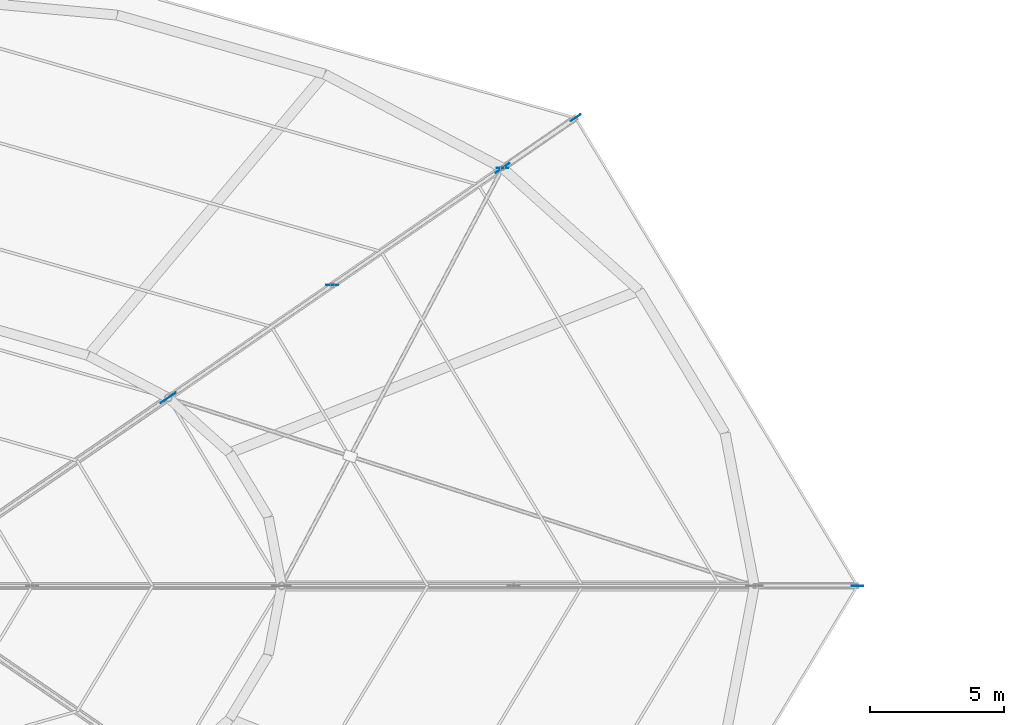
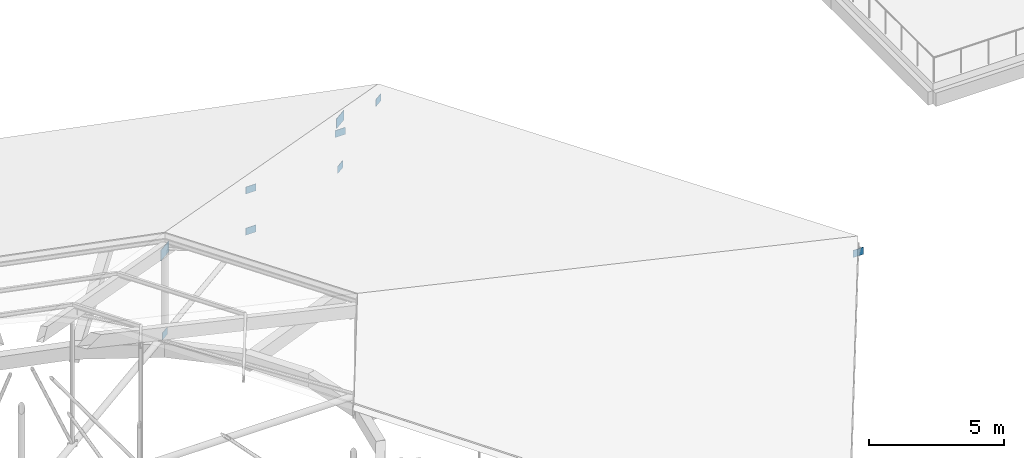
# One storey, part 53 of 66: 9 plates.
"""IFC4 building model written with IfcOpenShell, lengths in metres."""

from ifc_helpers import new_model, si_unit, direction, frame, origin, origin_2d, place, context, subcontext, project, spatial, rectangle, extrude, material, layer, layer_set, type_object, element, save


model = new_model("IFC4")

# Units and contexts
model_context = context("Model", 3, precision=1e-05, world=origin(), true_north=direction((0.0, 1.0)))
body_context = subcontext(model_context, "Body", "Model", "MODEL_VIEW")
ifc_project = project(units=[si_unit("LENGTHUNIT", "METRE"), si_unit("AREAUNIT", "SQUARE_METRE"), si_unit("VOLUMEUNIT", "CUBIC_METRE"), si_unit("PLANEANGLEUNIT", "RADIAN"), si_unit("MASSUNIT", "GRAM", prefix="KILO")], contexts=[model_context])

# Site, building, storey
site_placement = place(None, origin())
site = spatial("IfcSite", under=ifc_project, at=site_placement, CompositionType="ELEMENT")
building_placement = place(site_placement, origin())
building = spatial("IfcBuilding", under=site, at=building_placement, Name="Zornivar Specialist Clinic", CompositionType="ELEMENT")
storey_placement = place(building_placement, frame((0.0, 0.0, 16.0)))
storey = spatial("IfcBuildingStorey", under=building, at=storey_placement, Name="L04", CompositionType="ELEMENT", Elevation=16.0)

# Plates
ifc_material_1 = material(Name="Steel S355J2", Category="steel")
ifc_layer_1 = layer(ifc_material_1, 0.02197265625)
ifc_layer_set_1 = layer_set([ifc_layer_1], Name="Steel S355J2")
plate_type_1 = type_object("IfcPlateType", Name="PL-GUSSET-HEEL-22", PredefinedType="USERDEFINED", material=ifc_layer_set_1)
plate_1_placement = place(storey_placement, frame((116.22705078125, 73.156005859375, 0.2900390625), z_axis=(0.0, 0.0, 1.0), x_axis=(0.824042986806, 0.566527277274, 0.0)))
element("IfcPlate", 1, at=plate_1_placement, inside=storey, type_object=plate_type_1, Name="plate:V1:L04:heel:1", ObjectType="GUSSET PLATE", PredefinedType="USERDEFINED", context=body_context, shape_type="SweptSolid", body=[
    extrude(rectangle(XDim=0.6201171875, YDim=0.02197265625, at=origin_2d()), origin(), (0.0, 0.0, 1.0), 0.43994140625),
])
ifc_material_2 = material(Name="Steel S355J2", Category="steel")
ifc_layer_2 = layer(ifc_material_2, 0.02392578125)
ifc_layer_set_2 = layer_set([ifc_layer_2], Name="Steel S355J2")
plate_type_2 = type_object("IfcPlateType", Name="PL-GUSSET-RIDGE-24", PredefinedType="USERDEFINED", material=ifc_layer_set_2)
plate_2_placement = place(storey_placement, frame((103.781982421875, 64.60009765625, 3.864013671875), z_axis=(0.0, 0.0, 1.0), x_axis=(0.824042986806, 0.566527277274, 0.0)))
element("IfcPlate", 2, at=plate_2_placement, inside=storey, type_object=plate_type_2, Name="plate:V1:L04:ridge:1", ObjectType="GUSSET PLATE", PredefinedType="USERDEFINED", context=body_context, shape_type="SweptSolid", body=[
    extrude(rectangle(XDim=0.679931640625, YDim=0.02392578125, at=origin_2d()), origin(), (0.0, 0.0, 1.0), 0.47998046875),
])
ifc_material_3 = material(Name="Steel S355J2", Category="steel")
ifc_layer_3 = layer(ifc_material_3, 0.01806640625)
ifc_layer_set_3 = layer_set([ifc_layer_3], Name="Steel S355J2")
plate_type_3 = type_object("IfcPlateType", Name="PL-GUSSET-V4-18", PredefinedType="USERDEFINED", material=ifc_layer_set_3)
for number, where, z_axis, x_axis, name in (
    (3, (129.43994140625, 57.60009765625, -0.86083984375), (0.0, 0.0, 1.0), (1.0, 0.0, 0.0), "plate:bnode:L04:028"),
    (4, (116.22705078125, 73.156005859375, -0.240234375), (0.0, 0.0, 1.0), (1.0, 0.0, 0.0), "plate:bnode:L04:029"),
    (5, (116.22705078125, 73.156005859375, -1.81005859375), (0.0, 0.0, 1.0), (0.824027319533, 0.566550065452, 0.0), "plate:bnode:L04:030"),
    (6, (118.94189453125, 75.02294921875, -0.86083984375), (0.0, 0.0, 1.0), (0.824027319533, 0.566550065452, 0.0), "plate:bnode:L04:031"),
    (7, (109.89111328125, 68.800048828125, 0.2001953125), (0.0, 0.0, 1.0), (1.0, 0.0, 0.0), "plate:bnode:L04:056"),
    (8, (109.89111328125, 68.800048828125, 2.06689453125), (0.0, 0.0, 1.0), (1.0, 0.0, 0.0), "plate:bnode:L04:057"),
    (9, (103.781982421875, 64.60009765625, 0.2001953125), (0.0, 0.0, 1.0), (0.824027319533, 0.566550065452, 0.0), "plate:bnode:L04:060"),
):
    element("IfcPlate", number, at=place(storey_placement, frame(where, z_axis=z_axis, x_axis=x_axis)), inside=storey, type_object=plate_type_3, Name=name, ObjectType="GUSSET PLATE", PredefinedType="USERDEFINED", context=body_context, shape_type="SweptSolid", body=[
        extrude(rectangle(XDim=0.43994140625, YDim=0.01806640625, at=origin_2d()), origin(), (0.0, 0.0, 1.0), 0.320068359375),
    ])

save(model, "model.ifc")
